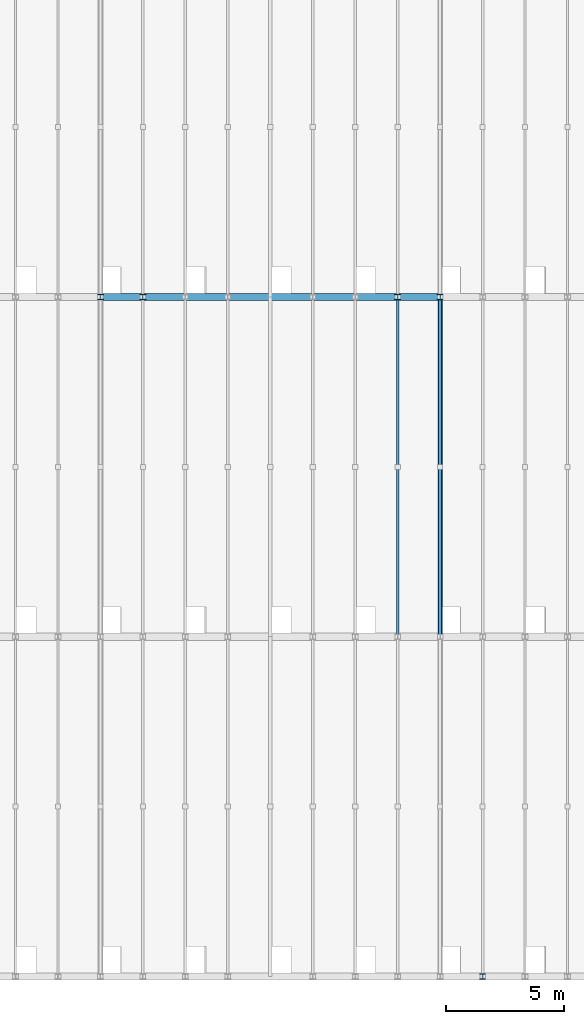
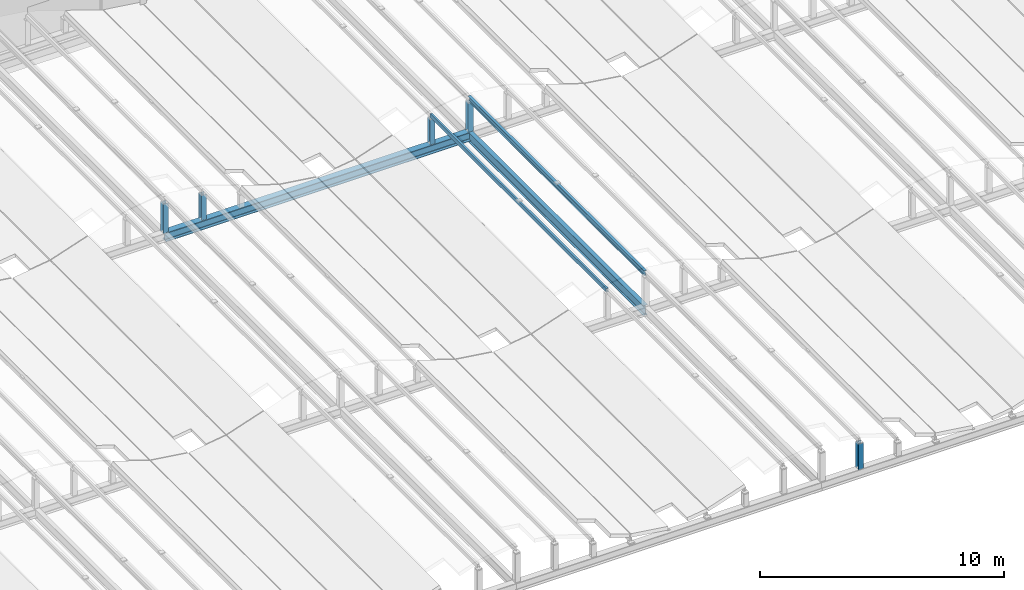
# One storey, part 28 of 83: 7 members, 2 beams.
"""IFC4 building model written with IfcOpenShell, lengths in metres."""

from ifc_helpers import new_model, si_unit, direction, frame, origin, origin_2d, place, context, subcontext, project, spatial, hollow_rectangle, i_section, extrude, material, material_profile, profile_set, type_object, element, save


model = new_model("IFC4")

# Units and contexts
model_context = context("Model", 3, precision=1e-05, world=origin(), true_north=direction((0.0, 1.0)))
body_context = subcontext(model_context, "Body", "Model", "MODEL_VIEW")
ifc_project = project(units=[si_unit("LENGTHUNIT", "METRE"), si_unit("AREAUNIT", "SQUARE_METRE"), si_unit("VOLUMEUNIT", "CUBIC_METRE"), si_unit("PLANEANGLEUNIT", "RADIAN"), si_unit("MASSUNIT", "GRAM", prefix="KILO")], contexts=[model_context])

# Site, building, storey
site_placement = place(None, origin())
site = spatial("IfcSite", under=ifc_project, at=site_placement, CompositionType="ELEMENT")
building_placement = place(site_placement, origin())
building = spatial("IfcBuilding", under=site, at=building_placement, Name="Leyfeld Transit Interchange", CompositionType="ELEMENT")
storey_placement = place(building_placement, frame((0.0, 0.0, 5.39990234375)))
storey = spatial("IfcBuildingStorey", under=building, at=storey_placement, Name="L01", CompositionType="ELEMENT", Elevation=5.39990234375)

# Beams
ifc_material = material(Name="Steel S355J2", Category="steel")
ifc_material_profile_1 = material_profile(ifc_material, i_section(OverallWidth=0.300048828125, OverallDepth=0.449951171875, WebThickness=0.013916015625, FlangeThickness=0.02587890625, FilletRadius=0.027099609375, at=origin_2d()), Name="HEB 450")
ifc_profile_set_1 = profile_set([ifc_material_profile_1], Name="Steel S355J2")
beam_type_1 = type_object("IfcBeamType", Name="BM-STL-HEB450", PredefinedType="JOIST", material=ifc_profile_set_1)
beam_1_placement = place(storey_placement, frame((144.0, 28.800048828125, 0.675048828125), z_axis=(1.0, 0.0, 0.0), x_axis=(0.0, 1.0, 0.0)))
element("IfcBeam", 1, at=beam_1_placement, inside=storey, type_object=beam_type_1, Name="Bus Canopy Longitudinal Girder R3 B4", PredefinedType="JOIST", context=body_context, shape_type="SweptSolid", body=[
    extrude(i_section(OverallWidth=0.300048828125, OverallDepth=0.449951171875, WebThickness=0.013916015625, FlangeThickness=0.02587890625, FilletRadius=0.027099609375, at=origin_2d()), origin(), (0.0, 0.0, 1.0), 14.39990234375),
])
ifc_material_profile_2 = material_profile(ifc_material, i_section(OverallWidth=0.199951171875, OverallDepth=0.5, WebThickness=0.01025390625, FlangeThickness=0.01611328125, FilletRadius=0.02099609375, at=origin_2d()), Name="IPE 500")
ifc_profile_set_2 = profile_set([ifc_material_profile_2], Name="Steel S355J2")
beam_type_2 = type_object("IfcBeamType", Name="BM-STL-IPE500", PredefinedType="BEAM", material=ifc_profile_set_2)
beam_2_placement = place(storey_placement, frame((158.39990234375, 14.39990234375, 0.650146484375), z_axis=(0.0, 1.0, 0.0), x_axis=(-1.0, 0.0, 0.0)))
element("IfcBeam", 2, at=beam_2_placement, inside=storey, type_object=beam_type_2, Name="Bus Canopy Transverse Portal Girder B5 R2", PredefinedType="BEAM", context=body_context, shape_type="SweptSolid", body=[
    extrude(i_section(OverallWidth=0.199951171875, OverallDepth=0.5, WebThickness=0.01025390625, FlangeThickness=0.01611328125, FilletRadius=0.02099609375, at=origin_2d()), origin(), (0.0, 0.0, 1.0), 14.400146484375),
])

# Members
ifc_material_profile_3 = material_profile(ifc_material, i_section(OverallWidth=0.239990234375, OverallDepth=0.22998046875, WebThickness=0.007568359375, FlangeThickness=0.011962890625, FilletRadius=0.02099609375, at=origin_2d()), Name="HEA 240")
ifc_profile_set_3 = profile_set([ifc_material_profile_3], Name="Steel S355J2")
member_type_1 = type_object("IfcMemberType", Name="MEM-CHD-HEA240", PredefinedType="CHORD", material=ifc_profile_set_3)
member_1_placement = place(storey_placement, frame((144.0, 28.800048828125, 0.860107421875), z_axis=(0.0, 0.0, 1.0), x_axis=(1.0, 0.0, 0.0)))
element("IfcMember", 3, at=member_1_placement, inside=storey, type_object=member_type_1, Name="Wave Canopy Riser Post 162", PredefinedType="CHORD", context=body_context, shape_type="SweptSolid", body=[
    extrude(i_section(OverallWidth=0.239990234375, OverallDepth=0.22998046875, WebThickness=0.007568359375, FlangeThickness=0.011962890625, FilletRadius=0.02099609375, at=origin_2d()), origin(), (0.0, 0.0, 1.0), 1.488037109375),
])
for number, where, z_axis, x_axis, name in (
    (4, (145.800048828125, 28.800048828125, 0.860107421875), (0.0, 0.0, 1.0), (1.0, 0.0, 0.0), "Wave Canopy Riser Post 169"),
    (5, (156.60009765625, 28.800048828125, 0.860107421875), (0.0, 0.0, 1.0), (1.0, 0.0, 0.0), "Wave Canopy Riser Post 207"),
):
    element("IfcMember", number, at=place(storey_placement, frame(where, z_axis=z_axis, x_axis=x_axis)), inside=storey, type_object=member_type_1, Name=name, PredefinedType="CHORD", context=body_context, shape_type="SweptSolid", body=[
        extrude(i_section(OverallWidth=0.239990234375, OverallDepth=0.22998046875, WebThickness=0.007568359375, FlangeThickness=0.011962890625, FilletRadius=0.02099609375, at=origin_2d()), origin(), (0.0, 0.0, 1.0), 1.2998046875),
    ])
member_2_placement = place(storey_placement, frame((158.39990234375, 28.800048828125, 0.860107421875), z_axis=(0.0, 0.0, 1.0), x_axis=(1.0, 0.0, 0.0)))
element("IfcMember", 6, at=member_2_placement, inside=storey, type_object=member_type_1, Name="Wave Canopy Riser Post 214", PredefinedType="CHORD", context=body_context, shape_type="SweptSolid", body=[
    extrude(i_section(OverallWidth=0.239990234375, OverallDepth=0.22998046875, WebThickness=0.007568359375, FlangeThickness=0.011962890625, FilletRadius=0.02099609375, at=origin_2d()), origin(), (0.0, 0.0, 1.0), 1.488037109375),
])
member_3_placement = place(storey_placement, frame((160.199951171875, 0.0, 0.860107421875), z_axis=(0.0, 0.0, 1.0), x_axis=(1.0, 0.0, 0.0)))
element("IfcMember", 7, at=member_3_placement, inside=storey, type_object=member_type_1, Name="Wave Canopy Riser Post 217", PredefinedType="CHORD", context=body_context, shape_type="SweptSolid", body=[
    extrude(i_section(OverallWidth=0.239990234375, OverallDepth=0.22998046875, WebThickness=0.007568359375, FlangeThickness=0.011962890625, FilletRadius=0.02099609375, at=origin_2d()), origin(), (0.0, 0.0, 1.0), 1.2998046875),
])
ifc_material_profile_4 = material_profile(ifc_material, i_section(OverallWidth=0.135009765625, OverallDepth=0.27001953125, WebThickness=0.006591796875, FlangeThickness=0.01025390625, FilletRadius=0.014892578125, at=origin_2d()), Name="IPE 270")
ifc_profile_set_4 = profile_set([ifc_material_profile_4], Name="Steel S355J2")
member_type_2 = type_object("IfcMemberType", Name="MEM-PUR-IPE270", PredefinedType="PURLIN", material=ifc_profile_set_4)
member_4_placement = place(storey_placement, frame((158.39990234375, 14.39990234375, 2.498291015625), z_axis=(0.0, 1.0, 0.0), x_axis=(-1.0, 0.0, 0.0)))
element("IfcMember", 8, at=member_4_placement, inside=storey, type_object=member_type_2, Name="Bus Canopy Purlin 211", PredefinedType="PURLIN", context=body_context, shape_type="SweptSolid", body=[
    extrude(i_section(OverallWidth=0.135009765625, OverallDepth=0.27001953125, WebThickness=0.006591796875, FlangeThickness=0.01025390625, FilletRadius=0.014892578125, at=origin_2d()), origin(), (0.0, 0.0, 1.0), 14.400146484375),
])
ifc_material_profile_5 = material_profile(ifc_material, hollow_rectangle(XDim=0.10009765625, YDim=0.199951171875, WallThickness=0.008056640625, at=origin_2d()), Name="RHS 200x100x8")
ifc_profile_set_5 = profile_set([ifc_material_profile_5], Name="Steel S355J2")
member_type_3 = type_object("IfcMemberType", Name="MEM-PUR-RHS200", PredefinedType="PURLIN", material=ifc_profile_set_5)
member_5_placement = place(storey_placement, frame((156.60009765625, 14.39990234375, 2.275634765625), z_axis=(0.0, 1.0, 0.0), x_axis=(-1.0, 0.0, 0.0)))
element("IfcMember", 9, at=member_5_placement, inside=storey, type_object=member_type_3, Name="Bus Canopy Purlin 204", PredefinedType="PURLIN", context=body_context, shape_type="SweptSolid", body=[
    extrude(hollow_rectangle(XDim=0.10009765625, YDim=0.199951171875, WallThickness=0.008056640625, at=origin_2d()), origin(), (0.0, 0.0, 1.0), 14.400146484375),
])

save(model, "model.ifc")
